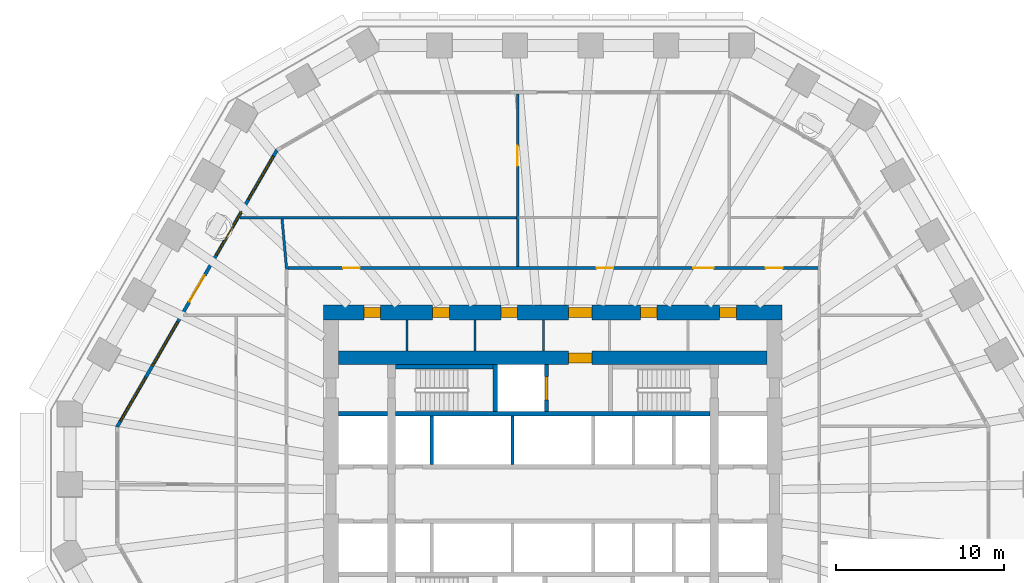
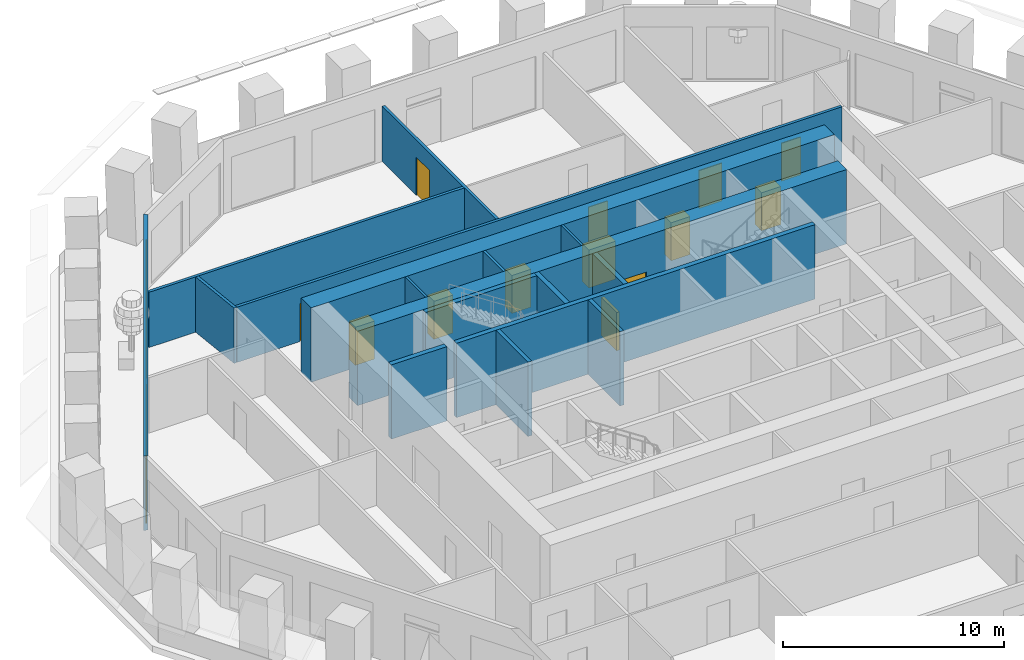
# One storey, part 7 of 13: 17 walls, 14 doors, 5 windows, 19 openings.
"""IFC4 building model written with IfcOpenShell, lengths in metres."""

import ifcopenshell
import ifcopenshell.guid

model = None  # the IFC model being written
_history = None  # IfcOwnerHistory: only IFC2X3 demands one
_inside = {}  # id of a spatial element -> (the spatial element, [elements in it])
_under = {}  # id of a project, library or spatial element -> (it, [spatial elements below it])
_declared = {}  # id of a project -> (the project, [libraries it declares])
_typed = {}  # id of a type object -> (the type object, [elements of that type])
_made_of = {}  # id of a material, layer set ... -> (it, [elements and type objects made of it])


def new_model(schema):
    """Start an empty IFC model of exactly this schema.

    Asked for "IFC4X3", IfcOpenShell would pick the latest addendum, in which some entities
    have other attributes; the version numbers below select the first issue.
    IFC2X3 requires an IfcOwnerHistory on every rooted entity: one is made here for all.
    """
    global model, _history
    if schema == "IFC4X3":
        model = ifcopenshell.file(schema_version=(4, 3, 0, 0))
    else:
        model = ifcopenshell.file(schema=schema)
    _inside.clear()
    _under.clear()
    _declared.clear()
    _typed.clear()
    _made_of.clear()
    _history = None
    if model.schema == "IFC2X3":
        org = make("IfcOrganization", Name="unknown")
        user = make(
            "IfcPersonAndOrganization",
            ThePerson=make("IfcPerson", FamilyName="unknown"),
            TheOrganization=org,
        )
        app = make(
            "IfcApplication",
            ApplicationDeveloper=org,
            Version="unknown",
            ApplicationFullName="unknown",
            ApplicationIdentifier="unknown",
        )
        _history = make(
            "IfcOwnerHistory",
            OwningUser=user,
            OwningApplication=app,
            ChangeAction="ADDED",
            CreationDate=0,
        )
    return model


def make(cls, **values):
    """One entity of the class cls with the attributes given. An attribute that is None is left unset."""
    return model.create_entity(
        cls, **{name: value for name, value in values.items() if value is not None}
    )


def rooted(cls, **values):
    """An entity with a GlobalId (a new one), such as an element, a storey or a relation."""
    return make(cls, GlobalId=ifcopenshell.guid.new(), OwnerHistory=_history, **values)


def si_unit(unit_type, name, prefix=None):
    """IfcSIUnit, for example si_unit("LENGTHUNIT", "METRE", prefix="MILLI")."""
    return make("IfcSIUnit", UnitType=unit_type, Prefix=prefix, Name=name)


def assignment(units):
    """IfcUnitAssignment: the units of a project."""
    return None if units is None else make("IfcUnitAssignment", Units=units)


def point(xyz):
    """IfcCartesianPoint."""
    return None if xyz is None else make("IfcCartesianPoint", Coordinates=xyz)


def direction(xyz):
    """IfcDirection."""
    return None if xyz is None else make("IfcDirection", DirectionRatios=xyz)


def frame(location, z_axis=None, x_axis=None):
    """IfcAxis2Placement3D, a coordinate frame: its origin and axes. An axis left out is left unset."""
    return make(
        "IfcAxis2Placement3D",
        Location=point(location),
        Axis=direction(z_axis),
        RefDirection=direction(x_axis),
    )


def frame_2d(location, x_axis=None):
    """IfcAxis2Placement2D, a coordinate frame in the plane: its origin and x axis."""
    return make(
        "IfcAxis2Placement2D", Location=point(location), RefDirection=direction(x_axis)
    )


def origin():
    """The frame at (0, 0, 0) with its axes left unset."""
    return frame((0.0, 0.0, 0.0))


def place(relative_to, where):
    """IfcLocalPlacement: puts the frame where relative to a parent placement (None: the world)."""
    return make(
        "IfcLocalPlacement", PlacementRelTo=relative_to, RelativePlacement=where
    )


def context(
    kind, dimensions, precision=None, world=None, true_north=None, identifier=None
):
    """IfcGeometricRepresentationContext, for example the 3D "Model" context."""
    return make(
        "IfcGeometricRepresentationContext",
        ContextIdentifier=identifier,
        ContextType=kind,
        CoordinateSpaceDimension=dimensions,
        Precision=precision,
        WorldCoordinateSystem=world,
        TrueNorth=true_north,
    )


def subcontext(parent, identifier, kind, view, scale=None):
    """IfcGeometricRepresentationSubContext, for example "Body" below "Model"."""
    return make(
        "IfcGeometricRepresentationSubContext",
        ContextIdentifier=identifier,
        ContextType=kind,
        ParentContext=parent,
        TargetScale=scale,
        TargetView=view,
    )


def project(units=None, contexts=None):
    """IfcProject with its units and contexts."""
    return rooted(
        "IfcProject",
        Name="project",
        RepresentationContexts=contexts,
        UnitsInContext=assignment(units),
    )


def spatial(cls, under=None, at=None, **own):
    """A site, building, storey or space (cls), placed at a placement, below another one or the project."""
    s = rooted(cls, ObjectPlacement=at, **own)
    if under is not None:
        _under.setdefault(under.id(), (under, []))[1].append(s)
    return s


def polyline(points):
    """IfcPolyline through the points."""
    return make("IfcPolyline", Points=[point(p) for p in points])


def profile(cls, at=None, kind="AREA", **sizes):
    """A parametric profile (cls). Its sizes go by their IFC names, for example OverallWidth=200.0."""
    return make(cls, ProfileType=kind, Position=at, **sizes)


def rectangle(**sizes):
    """IfcRectangleProfileDef."""
    return profile("IfcRectangleProfileDef", **sizes)


def outline(outer, holes=None, kind="AREA"):
    """IfcArbitraryClosedProfileDef: a profile drawn as a closed curve; with holes, ...WithVoids."""
    if holes is None:
        return make("IfcArbitraryClosedProfileDef", ProfileType=kind, OuterCurve=outer)
    return make(
        "IfcArbitraryProfileDefWithVoids",
        ProfileType=kind,
        OuterCurve=outer,
        InnerCurves=holes,
    )


def extrude(swept, where, along, depth):
    """IfcExtrudedAreaSolid: the profile swept, set in the frame where, extruded along a direction by depth."""
    return make(
        "IfcExtrudedAreaSolid",
        SweptArea=swept,
        Position=where,
        ExtrudedDirection=direction(along),
        Depth=depth,
    )


def shape(context_of_items, identifier, shape_type, items):
    """IfcShapeRepresentation: the items that make up one representation, for example the "Body"."""
    return make(
        "IfcShapeRepresentation",
        ContextOfItems=context_of_items,
        RepresentationIdentifier=identifier,
        RepresentationType=shape_type,
        Items=items,
    )


def material(Name=None, Category=None):
    """IfcMaterial."""
    return make("IfcMaterial", Name=Name, Category=Category)


def layer(
    of_material, thickness, ventilated=None, Name=None, Category=None, Priority=None
):
    """IfcMaterialLayer: one layer of a wall or slab, of a material (None: an air gap)."""
    return make(
        "IfcMaterialLayer",
        Material=of_material,
        LayerThickness=thickness,
        IsVentilated=ventilated,
        Name=Name,
        Category=Category,
        Priority=Priority,
    )


def layer_set(layers, Name=None):
    """IfcMaterialLayerSet."""
    return make("IfcMaterialLayerSet", MaterialLayers=layers, LayerSetName=Name)


def made_of(thing, what):
    """Note that an element or type object is made of a material, layer set ...; save() writes the relation."""
    if what is not None:
        _made_of.setdefault(what.id(), (what, []))[1].append(thing)
    return thing


def type_object(cls, material=None, **own):
    """A type object (cls), such as IfcWallType, which elements share."""
    return made_of(rooted(cls, **own), material)


def element(
    cls,
    number,
    at=None,
    inside=None,
    cuts=None,
    type_object=None,
    material=None,
    context=None,
    identifier="Body",
    shape_type=None,
    held_by="IfcProductDefinitionShape",
    body=None,
    shapes=None,
    **own,
):
    """One element of the class cls, such as IfcWall. Its Tag is "e" and its number.

    at: its placement. inside: the storey or other place that contains it. cuts: it is an
    opening in that element (IfcRelVoidsElement). A single representation is given by context,
    identifier, shape_type and body (its items); several are given by shapes. held_by: the class
    of the entity that holds the representations. save() writes the other relations.
    """
    e = rooted(cls, Tag="e%d" % number, ObjectPlacement=at, **own)
    if body is not None:
        shapes = [shape(context, identifier, shape_type, body)]
    if shapes is not None:
        e.Representation = make(held_by, Representations=shapes)
    if inside is not None:
        _inside.setdefault(inside.id(), (inside, []))[1].append(e)
    if cuts is not None:
        rooted(
            "IfcRelVoidsElement", RelatingBuildingElement=cuts, RelatedOpeningElement=e
        )
    if type_object is not None:
        _typed.setdefault(type_object.id(), (type_object, []))[1].append(e)
    return made_of(e, material)


def fill(opening, filler):
    """IfcRelFillsElement: the door or window that sits in an opening."""
    return rooted(
        "IfcRelFillsElement",
        RelatingOpeningElement=opening,
        RelatedBuildingElement=filler,
    )


def aggregate(whole, parts):
    """IfcRelAggregates: a whole, such as a stair, and the parts it consists of."""
    return rooted("IfcRelAggregates", RelatingObject=whole, RelatedObjects=parts)


def save(model, path):
    """Write the relations noted so far, then the file.

    IfcRelAggregates (storeys below a building ...), IfcRelContainedInSpatialStructure (elements
    in a storey), IfcRelDefinesByType, IfcRelAssociatesMaterial and IfcRelDeclares: one each for
    every whole, place, type object, material and project.
    """
    for whole, parts in _under.values():
        aggregate(whole, parts)
    for where, things in _inside.values():
        rooted(
            "IfcRelContainedInSpatialStructure",
            RelatedElements=things,
            RelatingStructure=where,
        )
    for kind, things in _typed.values():
        rooted("IfcRelDefinesByType", RelatedObjects=things, RelatingType=kind)
    for what, things in _made_of.values():
        rooted("IfcRelAssociatesMaterial", RelatedObjects=things, RelatingMaterial=what)
    for by, libraries in _declared.values():
        rooted("IfcRelDeclares", RelatingContext=by, RelatedDefinitions=libraries)
    model.write(path)


model = new_model("IFC4")

# Units and contexts
model_context = context("Model", 3, precision=1e-05, world=origin(), true_north=direction((0.0, 1.0)))
body_context = subcontext(model_context, "Body", "Model", "MODEL_VIEW")
ifc_project = project(units=[si_unit("LENGTHUNIT", "METRE"), si_unit("AREAUNIT", "SQUARE_METRE"), si_unit("VOLUMEUNIT", "CUBIC_METRE"), si_unit("PLANEANGLEUNIT", "RADIAN"), si_unit("MASSUNIT", "GRAM", prefix="KILO")], contexts=[model_context])

# Site, building, storey
site_placement = place(None, origin())
site = spatial("IfcSite", under=ifc_project, at=site_placement, CompositionType="ELEMENT")
building_placement = place(site_placement, origin())
building = spatial("IfcBuilding", under=site, at=building_placement, Name="Frailejon Research Tower", CompositionType="ELEMENT")
storey_placement = place(building_placement, frame((0.0, 0.0, 32.199951171875)))
storey = spatial("IfcBuildingStorey", under=building, at=storey_placement, Name="L07", CompositionType="ELEMENT", Elevation=32.199951171875)

# Walls
ifc_material_1 = material(Name="Plasterboard on steel studs", Category="steel")
ifc_layer_1 = layer(ifc_material_1, 0.125)
ifc_layer_set_1 = layer_set([ifc_layer_1], Name="Core partition 125")
wall_type_1 = type_object("IfcWallType", Name="Core partition 125", PredefinedType="PARTITIONING", material=ifc_layer_set_1)
for number, where, z_axis, x_axis, name in (
    (1, (-8.6875, 8.5, 0.0), (0.0, 0.0, 1.0), (0.0, 1.0, 0.0), "Core partition"),
    (2, (-4.625, 8.5, 0.0), (0.0, 0.0, 1.0), (0.0, 1.0, 0.0), "Core partition"),
    (3, (-0.5625, 8.5, 0.0), (0.0, 0.0, 1.0), (0.0, 1.0, 0.0), "Core partition"),
):
    element("IfcWall", number, at=place(storey_placement, frame(where, z_axis=z_axis, x_axis=x_axis)), inside=storey, type_object=wall_type_1, Name=name, PredefinedType="PARTITIONING", context=body_context, shape_type="SweptSolid", body=[
        extrude(rectangle(XDim=1.85009765625, YDim=0.125, at=frame_2d((0.925048828125, 0.0))), origin(), (0.0, 0.0, 1.0), 4.10009765625),
    ])

# Wall, opening, door
ifc_material_2 = material(Name="Concrete C70/85", Category="concrete")
ifc_layer_2 = layer(ifc_material_2, 0.800048828125)
ifc_layer_set_2 = layer_set([ifc_layer_2], Name="Core shear wall 800 C70/85")
wall_type_2 = type_object("IfcWallType", Name="Core shear wall 800 C70/85", PredefinedType="SHEAR", material=ifc_layer_set_2)
wall_1_placement = place(storey_placement, frame((-12.75, 8.10009765625, 0.0), z_axis=(0.0, 0.0, 1.0), x_axis=(1.0, 0.0, 0.0)))
wall_1 = element("IfcWall", 4, at=wall_1_placement, inside=storey, type_object=wall_type_2, Name="Core shear wall", PredefinedType="SHEAR", context=body_context, shape_type="SweptSolid", body=[
    extrude(rectangle(XDim=25.5, YDim=0.800048828125, at=frame_2d((12.75, 0.0))), origin(), (0.0, 0.0, 1.0), 4.10009765625),
])
opening_1_placement = place(wall_1_placement, frame((13.675048828125, 0.0, 0.0)))
opening_1 = element("IfcOpeningElement", 5, at=opening_1_placement, cuts=wall_1, Name="Opening D9", PredefinedType="OPENING", context=body_context, shape_type="SweptSolid", body=[
    extrude(rectangle(XDim=1.39990234375, YDim=2.10009765625, at=frame_2d((0.699951171875, 1.050048828125))), frame((0.0, 0.409912109375, 0.0), z_axis=(0.0, -1.0, 0.0), x_axis=(1.0, 0.0, 0.0)), (0.0, 0.0, 1.0), 0.820068359375),
])
ifc_material_3 = material(Name="Steel", Category="steel")
door_type_1 = type_object("IfcDoorType", Name="Goods lobby door", OperationType="DOUBLE_DOOR_SINGLE_SWING", PredefinedType="DOOR", material=ifc_material_3)
door_1_placement = place(opening_1_placement, origin())
door_1 = element("IfcDoor", 6, at=door_1_placement, inside=storey, type_object=door_type_1, Name="Goods lobby door", OperationType="DOUBLE_DOOR_SINGLE_SWING", OverallHeight=2.10009765625, OverallWidth=1.39990234375, PredefinedType="DOOR", context=body_context, shape_type="SweptSolid", body=[
    extrude(rectangle(XDim=1.39990234375, YDim=2.10009765625, at=frame_2d((0.699951171875, 1.050048828125))), frame((0.0, 0.300048828125, 0.0), z_axis=(0.0, -1.0, 0.0), x_axis=(1.0, 0.0, 0.0)), (0.0, 0.0, 1.0), 0.60009765625),
])
fill(opening_1, door_1)

# Wall, openings, doors
ifc_material_4 = material(Name="Concrete C70/85", Category="concrete")
ifc_layer_3 = layer(ifc_material_4, 0.89990234375)
ifc_layer_set_3 = layer_set([ifc_layer_3], Name="Core shear wall 900 C70/85")
wall_type_3 = type_object("IfcWallType", Name="Core shear wall 900 C70/85", PredefinedType="SHEAR", material=ifc_layer_set_3)
wall_2_placement = place(storey_placement, frame((-13.64990234375, 10.800048828125, 0.0), z_axis=(0.0, 0.0, 1.0), x_axis=(1.0, 0.0, 0.0)))
wall_2 = element("IfcWall", 7, at=wall_2_placement, inside=storey, type_object=wall_type_3, Name="Core shear wall", PredefinedType="SHEAR", context=body_context, shape_type="SweptSolid", body=[
    extrude(rectangle(XDim=27.2998046875, YDim=0.89990234375, at=frame_2d((13.64990234375, 0.0))), origin(), (0.0, 0.0, 1.0), 4.10009765625),
])
opening_2_placement = place(wall_2_placement, frame((2.39990234375, 0.0, 0.0)))
opening_2 = element("IfcOpeningElement", 8, at=opening_2_placement, cuts=wall_2, Name="Opening D4", PredefinedType="OPENING", context=body_context, shape_type="SweptSolid", body=[
    extrude(rectangle(XDim=1.0, YDim=2.10009765625, at=frame_2d((0.5, 1.050048828125))), frame((0.0, 0.4599609375, 0.0), z_axis=(0.0, -1.0, 0.0), x_axis=(1.0, 0.0, 0.0)), (0.0, 0.0, 1.0), 0.919921875),
])
opening_3_placement = place(wall_2_placement, frame((6.49365234375, 0.0, 0.0)))
opening_3 = element("IfcOpeningElement", 9, at=opening_3_placement, cuts=wall_2, Name="Opening D4", PredefinedType="OPENING", context=body_context, shape_type="SweptSolid", body=[
    extrude(rectangle(XDim=1.0, YDim=2.10009765625, at=frame_2d((0.5, 1.050048828125))), frame((0.0, 0.4599609375, 0.0), z_axis=(0.0, -1.0, 0.0), x_axis=(1.0, 0.0, 0.0)), (0.0, 0.0, 1.0), 0.919921875),
])
opening_4_placement = place(wall_2_placement, frame((10.55615234375, 0.0, 0.0)))
opening_4 = element("IfcOpeningElement", 10, at=opening_4_placement, cuts=wall_2, Name="Opening D4", PredefinedType="OPENING", context=body_context, shape_type="SweptSolid", body=[
    extrude(rectangle(XDim=1.0, YDim=2.10009765625, at=frame_2d((0.5, 1.050048828125))), frame((0.0, 0.4599609375, 0.0), z_axis=(0.0, -1.0, 0.0), x_axis=(1.0, 0.0, 0.0)), (0.0, 0.0, 1.0), 0.919921875),
])
opening_5_placement = place(wall_2_placement, frame((18.859375, 0.0, 0.0)))
opening_5 = element("IfcOpeningElement", 11, at=opening_5_placement, cuts=wall_2, Name="Opening D4", PredefinedType="OPENING", context=body_context, shape_type="SweptSolid", body=[
    extrude(rectangle(XDim=1.0, YDim=2.10009765625, at=frame_2d((0.5, 1.050048828125))), frame((0.0, 0.4599609375, 0.0), z_axis=(0.0, -1.0, 0.0), x_axis=(1.0, 0.0, 0.0)), (0.0, 0.0, 1.0), 0.919921875),
])
opening_6_placement = place(wall_2_placement, frame((23.58447265625, 0.0, 0.0)))
opening_6 = element("IfcOpeningElement", 12, at=opening_6_placement, cuts=wall_2, Name="Opening D4", PredefinedType="OPENING", context=body_context, shape_type="SweptSolid", body=[
    extrude(rectangle(XDim=1.0, YDim=2.10009765625, at=frame_2d((0.5, 1.050048828125))), frame((0.0, 0.4599609375, 0.0), z_axis=(0.0, -1.0, 0.0), x_axis=(1.0, 0.0, 0.0)), (0.0, 0.0, 1.0), 0.919921875),
])
opening_7_placement = place(wall_2_placement, frame((14.574951171875, 0.0, 0.0)))
opening_7 = element("IfcOpeningElement", 13, at=opening_7_placement, cuts=wall_2, Name="Opening D9", PredefinedType="OPENING", context=body_context, shape_type="SweptSolid", body=[
    extrude(rectangle(XDim=1.39990234375, YDim=2.10009765625, at=frame_2d((0.699951171875, 1.050048828125))), frame((0.0, 0.4599609375, 0.0), z_axis=(0.0, -1.0, 0.0), x_axis=(1.0, 0.0, 0.0)), (0.0, 0.0, 1.0), 0.919921875),
])
door_2_placement = place(opening_7_placement, origin())
door_2 = element("IfcDoor", 14, at=door_2_placement, inside=storey, type_object=door_type_1, Name="Passage door", OperationType="DOUBLE_DOOR_SINGLE_SWING", OverallHeight=2.10009765625, OverallWidth=1.39990234375, PredefinedType="DOOR", context=body_context, shape_type="SweptSolid", body=[
    extrude(rectangle(XDim=1.39990234375, YDim=2.10009765625, at=frame_2d((0.699951171875, 1.050048828125))), frame((0.0, 0.300048828125, 0.0), z_axis=(0.0, -1.0, 0.0), x_axis=(1.0, 0.0, 0.0)), (0.0, 0.0, 1.0), 0.60009765625),
])
fill(opening_7, door_2)
ifc_material_5 = material(Name="Steel", Category="steel")
door_type_2 = type_object("IfcDoorType", Name="Service door", OperationType="SINGLE_SWING_LEFT", PredefinedType="DOOR", material=ifc_material_5)
door_3_placement = place(opening_2_placement, origin())
door_3 = element("IfcDoor", 15, at=door_3_placement, inside=storey, type_object=door_type_2, Name="Room door", OperationType="SINGLE_SWING_LEFT", OverallHeight=2.10009765625, OverallWidth=1.0, PredefinedType="DOOR", context=body_context, shape_type="SweptSolid", body=[
    extrude(rectangle(XDim=1.0, YDim=2.10009765625, at=frame_2d((0.5, 1.050048828125))), frame((0.0, 0.300048828125, 0.0), z_axis=(0.0, -1.0, 0.0), x_axis=(1.0, 0.0, 0.0)), (0.0, 0.0, 1.0), 0.60009765625),
])
fill(opening_2, door_3)
door_4_placement = place(opening_3_placement, origin())
door_4 = element("IfcDoor", 16, at=door_4_placement, inside=storey, type_object=door_type_2, Name="Room door", OperationType="SINGLE_SWING_RIGHT", OverallHeight=2.10009765625, OverallWidth=1.0, PredefinedType="DOOR", context=body_context, shape_type="SweptSolid", body=[
    extrude(rectangle(XDim=1.0, YDim=2.10009765625, at=frame_2d((0.5, 1.050048828125))), frame((0.0, 0.300048828125, 0.0), z_axis=(0.0, -1.0, 0.0), x_axis=(1.0, 0.0, 0.0)), (0.0, 0.0, 1.0), 0.60009765625),
])
fill(opening_3, door_4)
door_5_placement = place(opening_4_placement, origin())
door_5 = element("IfcDoor", 17, at=door_5_placement, inside=storey, type_object=door_type_2, Name="Room door", OperationType="SINGLE_SWING_LEFT", OverallHeight=2.10009765625, OverallWidth=1.0, PredefinedType="DOOR", context=body_context, shape_type="SweptSolid", body=[
    extrude(rectangle(XDim=1.0, YDim=2.10009765625, at=frame_2d((0.5, 1.050048828125))), frame((0.0, 0.300048828125, 0.0), z_axis=(0.0, -1.0, 0.0), x_axis=(1.0, 0.0, 0.0)), (0.0, 0.0, 1.0), 0.60009765625),
])
fill(opening_4, door_5)
door_6_placement = place(opening_5_placement, origin())
door_6 = element("IfcDoor", 18, at=door_6_placement, inside=storey, type_object=door_type_2, Name="Room door", OperationType="SINGLE_SWING_RIGHT", OverallHeight=2.10009765625, OverallWidth=1.0, PredefinedType="DOOR", context=body_context, shape_type="SweptSolid", body=[
    extrude(rectangle(XDim=1.0, YDim=2.10009765625, at=frame_2d((0.5, 1.050048828125))), frame((0.0, 0.300048828125, 0.0), z_axis=(0.0, -1.0, 0.0), x_axis=(1.0, 0.0, 0.0)), (0.0, 0.0, 1.0), 0.60009765625),
])
fill(opening_5, door_6)
door_7_placement = place(opening_6_placement, origin())
door_7 = element("IfcDoor", 19, at=door_7_placement, inside=storey, type_object=door_type_2, Name="Room door", OperationType="SINGLE_SWING_LEFT", OverallHeight=2.10009765625, OverallWidth=1.0, PredefinedType="DOOR", context=body_context, shape_type="SweptSolid", body=[
    extrude(rectangle(XDim=1.0, YDim=2.10009765625, at=frame_2d((0.5, 1.050048828125))), frame((0.0, 0.300048828125, 0.0), z_axis=(0.0, -1.0, 0.0), x_axis=(1.0, 0.0, 0.0)), (0.0, 0.0, 1.0), 0.60009765625),
])
fill(opening_6, door_7)

ifc_material_6 = material(Name="Gypsum board and masonry partition", Category="masonry")
ifc_layer_4 = layer(ifc_material_6, 0.14990234375)
ifc_layer_set_4 = layer_set([ifc_layer_4], Name="Corridor wall EI 60, gypsum on steel studs 150")
wall_type_4 = type_object("IfcWallType", Name="Corridor wall EI 60, gypsum on steel studs 150", PredefinedType="PARTITIONING", material=ifc_layer_set_4)
wall_3_placement = place(storey_placement, frame((-15.77490234375, 13.449951171875, 0.0), z_axis=(0.0, 0.0, 1.0), x_axis=(1.0, 0.0, 0.0)))
wall_3 = element("IfcWall", 20, at=wall_3_placement, inside=storey, type_object=wall_type_4, Name="T:IW:L07:002", PredefinedType="PARTITIONING", context=body_context, shape_type="SweptSolid", body=[
    extrude(rectangle(XDim=31.574951171875, YDim=0.14990234375, at=frame_2d((15.78759765625, 0.0))), origin(), (0.0, 0.0, 1.0), 3.050048828125),
])
opening_8_placement = place(wall_3_placement, frame((28.447509765625, 0.0, 0.0)))
opening_8 = element("IfcOpeningElement", 21, at=opening_8_placement, cuts=wall_3, Name="Opening D1323", PredefinedType="OPENING", context=body_context, shape_type="SweptSolid", body=[
    extrude(rectangle(XDim=1.0, YDim=2.10009765625, at=frame_2d((0.5, 1.050048828125))), frame((0.0, 0.0849609375, 0.0), z_axis=(0.0, -1.0, 0.0), x_axis=(1.0, 0.0, 0.0)), (0.0, 0.0, 1.0), 0.169921875),
])
opening_9_placement = place(wall_3_placement, frame((24.1455078125, 0.0, 0.0)))
opening_9 = element("IfcOpeningElement", 22, at=opening_9_placement, cuts=wall_3, Name="Opening D1325", PredefinedType="OPENING", context=body_context, shape_type="SweptSolid", body=[
    extrude(rectangle(XDim=1.199951171875, YDim=2.10009765625, at=frame_2d((0.60009765625, 1.050048828125))), frame((0.0, 0.0849609375, 0.0), z_axis=(0.0, -1.0, 0.0), x_axis=(1.0, 0.0, 0.0)), (0.0, 0.0, 1.0), 0.169921875),
])
opening_10_placement = place(wall_3_placement, frame((18.37841796875, 0.0, 0.0)))
opening_10 = element("IfcOpeningElement", 23, at=opening_10_placement, cuts=wall_3, Name="Opening D1326", PredefinedType="OPENING", context=body_context, shape_type="SweptSolid", body=[
    extrude(rectangle(XDim=1.0, YDim=2.10009765625, at=frame_2d((0.5, 1.050048828125))), frame((0.0, 0.0849609375, 0.0), z_axis=(0.0, -1.0, 0.0), x_axis=(1.0, 0.0, 0.0)), (0.0, 0.0, 1.0), 0.169921875),
])
opening_11_placement = place(wall_3_placement, frame((3.28759765625, 0.0, 0.0)))
opening_11 = element("IfcOpeningElement", 24, at=opening_11_placement, cuts=wall_3, Name="Opening D1329", PredefinedType="OPENING", context=body_context, shape_type="SweptSolid", body=[
    extrude(rectangle(XDim=1.0, YDim=2.10009765625, at=frame_2d((0.5, 1.050048828125))), frame((0.0, 0.0849609375, 0.0), z_axis=(0.0, -1.0, 0.0), x_axis=(1.0, 0.0, 0.0)), (0.0, 0.0, 1.0), 0.169921875),
])
ifc_material_7 = material(Name="Timber door leaf", Category="wood")
door_type_3 = type_object("IfcDoorType", Name="Door laboratory, timber, vision panel 1000", OperationType="NOTDEFINED", PredefinedType="DOOR", material=ifc_material_7)
door_8_placement = place(opening_11_placement, origin())
door_8 = element("IfcDoor", 25, at=door_8_placement, inside=storey, type_object=door_type_3, Name="D1329", OperationType="SINGLE_SWING_RIGHT", OverallHeight=2.10009765625, OverallWidth=1.0, PredefinedType="DOOR", context=body_context, shape_type="SweptSolid", body=[
    extrude(rectangle(XDim=1.0, YDim=2.10009765625, at=frame_2d((0.5, 1.050048828125))), frame((0.0, 0.02490234375, 0.0), z_axis=(0.0, -1.0, 0.0), x_axis=(1.0, 0.0, 0.0)), (0.0, 0.0, 1.0), 0.050048828125),
])
fill(opening_11, door_8)
ifc_material_8 = material(Name="Timber door leaf", Category="wood")
door_type_4 = type_object("IfcDoorType", Name="Door laboratory, timber, vision panel 1200", OperationType="NOTDEFINED", PredefinedType="DOOR", material=ifc_material_8)
door_9_placement = place(opening_9_placement, origin())
door_9 = element("IfcDoor", 26, at=door_9_placement, inside=storey, type_object=door_type_4, Name="D1325", OperationType="DOUBLE_DOOR_SINGLE_SWING", OverallHeight=2.10009765625, OverallWidth=1.199951171875, PredefinedType="DOOR", context=body_context, shape_type="SweptSolid", body=[
    extrude(rectangle(XDim=1.199951171875, YDim=2.10009765625, at=frame_2d((0.60009765625, 1.050048828125))), frame((0.0, 0.02490234375, 0.0), z_axis=(0.0, -1.0, 0.0), x_axis=(1.0, 0.0, 0.0)), (0.0, 0.0, 1.0), 0.050048828125),
])
fill(opening_9, door_9)
ifc_material_9 = material(Name="Timber door leaf", Category="wood")
door_type_5 = type_object("IfcDoorType", Name="Door single leaf, timber, steel frame 1000", OperationType="NOTDEFINED", PredefinedType="DOOR", material=ifc_material_9)
door_10_placement = place(opening_8_placement, origin())
door_10 = element("IfcDoor", 27, at=door_10_placement, inside=storey, type_object=door_type_5, Name="D1323", OperationType="SINGLE_SWING_RIGHT", OverallHeight=2.10009765625, OverallWidth=1.0, PredefinedType="DOOR", context=body_context, shape_type="SweptSolid", body=[
    extrude(rectangle(XDim=1.0, YDim=2.10009765625, at=frame_2d((0.5, 1.050048828125))), frame((0.0, 0.02490234375, 0.0), z_axis=(0.0, -1.0, 0.0), x_axis=(1.0, 0.0, 0.0)), (0.0, 0.0, 1.0), 0.050048828125),
])
fill(opening_8, door_10)
door_11_placement = place(opening_10_placement, origin())
door_11 = element("IfcDoor", 28, at=door_11_placement, inside=storey, type_object=door_type_5, Name="D1326", OperationType="SINGLE_SWING_RIGHT", OverallHeight=2.10009765625, OverallWidth=1.0, PredefinedType="DOOR", context=body_context, shape_type="SweptSolid", body=[
    extrude(rectangle(XDim=1.0, YDim=2.10009765625, at=frame_2d((0.5, 1.050048828125))), frame((0.0, 0.02490234375, 0.0), z_axis=(0.0, -1.0, 0.0), x_axis=(1.0, 0.0, 0.0)), (0.0, 0.0, 1.0), 0.050048828125),
])
fill(opening_10, door_11)

# Wall, opening, door
ifc_material_10 = material(Name="Gypsum board and masonry partition", Category="masonry")
ifc_layer_5 = layer(ifc_material_10, 0.14990234375)
ifc_layer_set_5 = layer_set([ifc_layer_5], Name="Laboratory partition, blockwork 150")
wall_type_5 = type_object("IfcWallType", Name="Laboratory partition, blockwork 150", PredefinedType="PARTITIONING", material=ifc_layer_set_5)
wall_4_placement = place(storey_placement, frame((-2.09912109375, 13.52490234375, 0.0), z_axis=(0.0, 0.0, 1.0), x_axis=(0.0, 1.0, 0.0)))
wall_4 = element("IfcWall", 29, at=wall_4_placement, inside=storey, type_object=wall_type_5, Name="T:IW:L07:012", PredefinedType="PARTITIONING", context=body_context, shape_type="SweptSolid", body=[
    extrude(rectangle(XDim=10.275146484375, YDim=0.14990234375, at=frame_2d((5.1376953125, 0.0))), origin(), (0.0, 0.0, 1.0), 3.050048828125),
])
opening_12_placement = place(wall_4_placement, frame((6.0, 0.0, 0.0)))
opening_12 = element("IfcOpeningElement", 30, at=opening_12_placement, cuts=wall_4, Name="Opening D1328", PredefinedType="OPENING", context=body_context, shape_type="SweptSolid", body=[
    extrude(rectangle(XDim=1.199951171875, YDim=2.10009765625, at=frame_2d((0.60009765625, 1.050048828125))), frame((0.0, 0.0849609375, 0.0), z_axis=(0.0, -1.0, 0.0), x_axis=(1.0, 0.0, 0.0)), (0.0, 0.0, 1.0), 0.169921875),
])
door_12_placement = place(opening_12_placement, origin())
door_12 = element("IfcDoor", 31, at=door_12_placement, inside=storey, type_object=door_type_4, Name="D1328", OperationType="DOUBLE_DOOR_SINGLE_SWING", OverallHeight=2.10009765625, OverallWidth=1.199951171875, PredefinedType="DOOR", context=body_context, shape_type="SweptSolid", body=[
    extrude(rectangle(XDim=1.199951171875, YDim=2.10009765625, at=frame_2d((0.60009765625, 1.050048828125))), frame((0.0, 0.02490234375, 0.0), z_axis=(0.0, -1.0, 0.0), x_axis=(1.0, 0.0, 0.0)), (0.0, 0.0, 1.0), 0.050048828125),
])
fill(opening_12, door_12)

# Walls
wall_5_placement = place(storey_placement, frame((-18.623046875, 16.449951171875, 0.0), z_axis=(0.0, 0.0, 1.0), x_axis=(1.0, 0.0, 0.0)))
element("IfcWall", 32, at=wall_5_placement, inside=storey, type_object=wall_type_5, Name="T:IW:L07:013", PredefinedType="PARTITIONING", context=body_context, shape_type="SweptSolid", body=[
    extrude(rectangle(XDim=16.448974609375, YDim=0.14990234375, at=frame_2d((8.224609375, 0.0))), origin(), (0.0, 0.0, 1.0), 3.050048828125),
])
wall_6_placement = place(storey_placement, frame((-16.1162109375, 16.375244140625, 0.0), z_axis=(0.0, 0.0, 1.0), x_axis=(0.09060881957, -0.995886560717, 0.0)))
element("IfcWall", 33, at=wall_6_placement, inside=storey, type_object=wall_type_5, Name="T:IW:L07:014", PredefinedType="PARTITIONING", context=body_context, shape_type="SweptSolid", body=[
    extrude(rectangle(XDim=3.012451171875, YDim=0.14990234375, at=frame_2d((1.50634765625, 0.0))), origin(), (0.0, 0.0, 1.0), 3.050048828125),
])
ifc_material_11 = material(Name="Concrete C70/85", Category="concrete")
ifc_layer_6 = layer(ifc_material_11, 0.199951171875)
ifc_layer_set_6 = layer_set([ifc_layer_6], Name="Shaft wall 200 C70/85")
wall_type_6 = type_object("IfcWallType", Name="Shaft wall 200 C70/85", PredefinedType="SOLIDWALL", material=ifc_layer_set_6)
for number, where, z_axis, x_axis, name in (
    (34, (-7.199951171875, 1.75, 0.0), (0.0, 0.0, 1.0), (0.0, 1.0, 0.0), "Shaft wall"),
    (35, (-2.39990234375, 1.75, 0.0), (0.0, 0.0, 1.0), (0.0, 1.0, 0.0), "Shaft wall"),
):
    element("IfcWall", number, at=place(storey_placement, frame(where, z_axis=z_axis, x_axis=x_axis)), inside=storey, type_object=wall_type_6, Name=name, PredefinedType="SOLIDWALL", context=body_context, shape_type="SweptSolid", body=[
        extrude(rectangle(XDim=2.89990234375, YDim=0.199951171875, at=frame_2d((1.449951171875, 0.0))), origin(), (0.0, 0.0, 1.0), 4.10009765625),
    ])
ifc_material_12 = material(Name="Concrete C70/85", Category="concrete")
ifc_layer_7 = layer(ifc_material_12, 0.25)
ifc_layer_set_7 = layer_set([ifc_layer_7], Name="Shaft wall 250 C70/85")
wall_type_7 = type_object("IfcWallType", Name="Shaft wall 250 C70/85", PredefinedType="SOLIDWALL", material=ifc_layer_set_7)
wall_7_placement = place(storey_placement, frame((-12.75, 4.77490234375, 0.0), z_axis=(0.0, 0.0, 1.0), x_axis=(1.0, 0.0, 0.0)))
element("IfcWall", 36, at=wall_7_placement, inside=storey, type_object=wall_type_7, Name="Shaft wall", PredefinedType="SOLIDWALL", context=body_context, shape_type="SweptSolid", body=[
    extrude(rectangle(XDim=2.89990234375, YDim=0.25, at=frame_2d((1.449951171875, 0.0))), origin(), (0.0, 0.0, 1.0), 4.10009765625),
])
wall_8_placement = place(storey_placement, frame((-9.35009765625, 4.77490234375, 0.0), z_axis=(0.0, 0.0, 1.0), x_axis=(1.0, 0.0, 0.0)))
element("IfcWall", 37, at=wall_8_placement, inside=storey, type_object=wall_type_7, Name="Shaft wall", PredefinedType="SOLIDWALL", context=body_context, shape_type="SweptSolid", body=[
    extrude(rectangle(XDim=18.7001953125, YDim=0.25, at=frame_2d((9.35009765625, 0.0))), origin(), (0.0, 0.0, 1.0), 4.10009765625),
])
wall_9_placement = place(storey_placement, frame((-9.35009765625, 7.574951171875, 0.0), z_axis=(0.0, 0.0, 1.0), x_axis=(1.0, 0.0, 0.0)))
element("IfcWall", 38, at=wall_9_placement, inside=storey, type_object=wall_type_7, Name="Shaft wall", PredefinedType="SOLIDWALL", context=body_context, shape_type="SweptSolid", body=[
    extrude(rectangle(XDim=5.800048828125, YDim=0.25, at=frame_2d((2.89990234375, 0.0))), origin(), (0.0, 0.0, 1.0), 4.10009765625),
])
wall_10_placement = place(storey_placement, frame((-3.425048828125, 4.89990234375, 0.0), z_axis=(0.0, 0.0, 1.0), x_axis=(0.0, 1.0, 0.0)))
element("IfcWall", 39, at=wall_10_placement, inside=storey, type_object=wall_type_7, Name="Shaft wall", PredefinedType="SOLIDWALL", context=body_context, shape_type="SweptSolid", body=[
    extrude(rectangle(XDim=2.800048828125, YDim=0.25, at=frame_2d((1.39990234375, 0.0))), origin(), (0.0, 0.0, 1.0), 4.10009765625),
])

# Wall, opening, door
wall_11_placement = place(storey_placement, frame((-0.375, 4.89990234375, 0.0), z_axis=(0.0, 0.0, 1.0), x_axis=(0.0, 1.0, 0.0)))
wall_11 = element("IfcWall", 40, at=wall_11_placement, inside=storey, type_object=wall_type_7, Name="Shaft wall", PredefinedType="SOLIDWALL", context=body_context, shape_type="SweptSolid", body=[
    extrude(rectangle(XDim=2.800048828125, YDim=0.25, at=frame_2d((1.39990234375, 0.0))), origin(), (0.0, 0.0, 1.0), 4.10009765625),
])
opening_13_placement = place(wall_11_placement, frame((0.699951171875, 0.0, 0.0)))
opening_13 = element("IfcOpeningElement", 41, at=opening_13_placement, cuts=wall_11, Name="Opening LD2", PredefinedType="OPENING", context=body_context, shape_type="SweptSolid", body=[
    extrude(rectangle(XDim=1.39990234375, YDim=2.10009765625, at=frame_2d((0.699951171875, 1.050048828125))), frame((0.0, 0.135009765625, 0.0), z_axis=(0.0, -1.0, 0.0), x_axis=(1.0, 0.0, 0.0)), (0.0, 0.0, 1.0), 0.27001953125),
])
ifc_material_13 = material(Name="Stainless steel", Category="steel")
door_type_6 = type_object("IfcDoorType", Name="Goods landing door", OperationType="DOUBLE_DOOR_SLIDING", PredefinedType="DOOR", material=ifc_material_13)
door_13_placement = place(opening_13_placement, origin())
door_13 = element("IfcDoor", 42, at=door_13_placement, inside=storey, type_object=door_type_6, Name="Lift landing door", OperationType="DOUBLE_DOOR_SLIDING", OverallHeight=2.10009765625, OverallWidth=1.39990234375, PredefinedType="DOOR", context=body_context, shape_type="SweptSolid", body=[
    extrude(rectangle(XDim=1.39990234375, YDim=2.10009765625, at=frame_2d((0.699951171875, 1.050048828125))), frame((0.0, 0.074951171875, 0.0), z_axis=(0.0, -1.0, 0.0), x_axis=(1.0, 0.0, 0.0)), (0.0, 0.0, 1.0), 0.14990234375),
])
fill(opening_13, door_13)

# Wall, openings, door, windows
ifc_material_14 = material(Name="Concrete C40/50 precast window wall panel", Category="concrete")
ifc_layer_8 = layer(ifc_material_14, 0.199951171875)
ifc_layer_set_8 = layer_set([ifc_layer_8], Name="Window wall 200")
wall_type_8 = type_object("IfcWallType", Name="Window wall 200", PredefinedType="SOLIDWALL", material=ifc_layer_set_8)
wall_12_placement = place(storey_placement, frame((-16.421875, 20.462646484375, 0.0), z_axis=(0.0, 0.0, 1.0), x_axis=(-0.500001707189, -0.866024418136, 0.0)))
wall_12 = element("IfcWall", 43, at=wall_12_placement, inside=storey, type_object=wall_type_8, Name="Exterior wall L07", PredefinedType="SOLIDWALL", context=body_context, shape_type="SweptSolid", body=[
    extrude(outline(polyline([(-0.02685546875, -0.10009765625), (0.97705078125, -0.10009765625), (1.98095703125, -0.10009765625), (2.98486328125, -0.10009765625), (3.98876953125, -0.10009765625), (4.99267578125, -0.10009765625), (5.99658203125, -0.10009765625), (7.00048828125, -0.10009765625), (8.00439453125, -0.10009765625), (9.00830078125, -0.10009765625), (10.01220703125, -0.10009765625), (11.01611328125, -0.10009765625), (12.02001953125, -0.10009765625), (13.02392578125, -0.10009765625), (14.02783203125, -0.10009765625), (15.03173828125, -0.10009765625), (16.03564453125, -0.10009765625), (17.03955078125, -0.10009765625), (18.04345703125, -0.10009765625), (19.04736328125, -0.10009765625), (18.99365234375, 0.10009765625), (17.995361328125, 0.10009765625), (16.9970703125, 0.10009765625), (15.998779296875, 0.10009765625), (15.000732421875, 0.10009765625), (14.00244140625, 0.10009765625), (13.004150390625, 0.10009765625), (12.005859375, 0.10009765625), (11.007568359375, 0.10009765625), (10.00927734375, 0.10009765625), (9.01123046875, 0.10009765625), (8.012939453125, 0.10009765625), (7.0146484375, 0.10009765625), (6.016357421875, 0.10009765625), (5.01806640625, 0.10009765625), (4.019775390625, 0.10009765625), (3.021728515625, 0.10009765625), (2.0234375, 0.10009765625), (1.025146484375, 0.10009765625), (0.02685546875, 0.10009765625), (-0.02685546875, -0.10009765625)])), origin(), (0.0, 0.0, 1.0), 4.10009765625),
])
opening_14_placement = place(wall_12_placement, frame((0.402099609375, 0.0, 0.10009765625)))
opening_14 = element("IfcOpeningElement", 44, at=opening_14_placement, cuts=wall_12, Name="Opening W4", PredefinedType="OPENING", context=body_context, shape_type="SweptSolid", body=[
    extrude(rectangle(XDim=3.0, YDim=2.89990234375, at=frame_2d((1.5, 1.449951171875))), frame((0.0, 0.10986328125, 0.0), z_axis=(0.0, -1.0, 0.0), x_axis=(1.0, 0.0, 0.0)), (0.0, 0.0, 1.0), 0.219970703125),
])
opening_15_placement = place(wall_12_placement, frame((4.206298828125, 0.0, 0.10009765625)))
opening_15 = element("IfcOpeningElement", 45, at=opening_15_placement, cuts=wall_12, Name="Opening W4", PredefinedType="OPENING", context=body_context, shape_type="SweptSolid", body=[
    extrude(rectangle(XDim=3.0, YDim=2.89990234375, at=frame_2d((1.5, 1.449951171875))), frame((0.0, 0.10986328125, 0.0), z_axis=(0.0, -1.0, 0.0), x_axis=(1.0, 0.0, 0.0)), (0.0, 0.0, 1.0), 0.219970703125),
])
opening_16_placement = place(wall_12_placement, frame((8.6103515625, 0.0, 0.0)))
opening_16 = element("IfcOpeningElement", 46, at=opening_16_placement, cuts=wall_12, Name="Opening LG07-3", PredefinedType="OPENING", context=body_context, shape_type="SweptSolid", body=[
    extrude(rectangle(XDim=1.800048828125, YDim=2.39990234375, at=frame_2d((0.89990234375, 1.199951171875))), frame((0.0, 0.10986328125, 0.0), z_axis=(0.0, -1.0, 0.0), x_axis=(1.0, 0.0, 0.0)), (0.0, 0.0, 1.0), 0.219970703125),
])
opening_17_placement = place(wall_12_placement, frame((8.6103515625, 0.0, 2.550048828125)))
opening_17 = element("IfcOpeningElement", 47, at=opening_17_placement, cuts=wall_12, Name="Opening W1", PredefinedType="OPENING", context=body_context, shape_type="SweptSolid", body=[
    extrude(rectangle(XDim=1.800048828125, YDim=0.449951171875, at=frame_2d((0.89990234375, 0.22509765625))), frame((0.0, 0.10986328125, 0.0), z_axis=(0.0, -1.0, 0.0), x_axis=(1.0, 0.0, 0.0)), (0.0, 0.0, 1.0), 0.219970703125),
])
opening_18_placement = place(wall_12_placement, frame((11.814453125, 0.0, 0.10009765625)))
opening_18 = element("IfcOpeningElement", 48, at=opening_18_placement, cuts=wall_12, Name="Opening W4", PredefinedType="OPENING", context=body_context, shape_type="SweptSolid", body=[
    extrude(rectangle(XDim=3.0, YDim=2.89990234375, at=frame_2d((1.5, 1.449951171875))), frame((0.0, 0.10986328125, 0.0), z_axis=(0.0, -1.0, 0.0), x_axis=(1.0, 0.0, 0.0)), (0.0, 0.0, 1.0), 0.219970703125),
])
opening_19_placement = place(wall_12_placement, frame((15.618408203125, 0.0, 0.10009765625)))
opening_19 = element("IfcOpeningElement", 49, at=opening_19_placement, cuts=wall_12, Name="Opening W4", PredefinedType="OPENING", context=body_context, shape_type="SweptSolid", body=[
    extrude(rectangle(XDim=3.0, YDim=2.89990234375, at=frame_2d((1.5, 1.449951171875))), frame((0.0, 0.10986328125, 0.0), z_axis=(0.0, -1.0, 0.0), x_axis=(1.0, 0.0, 0.0)), (0.0, 0.0, 1.0), 0.219970703125),
])
ifc_material_15 = material(Name="Aluminium framed glazed door leaf", Category="aluminium")
door_type_7 = type_object("IfcDoorType", Name="Loggia door 1800x2400", OperationType="DOUBLE_DOOR_SINGLE_SWING", PredefinedType="DOOR", material=ifc_material_15)
door_14_placement = place(opening_16_placement, origin())
door_14 = element("IfcDoor", 50, at=door_14_placement, inside=storey, type_object=door_type_7, Name="Door LG07-3", OperationType="DOUBLE_DOOR_SINGLE_SWING", OverallHeight=2.39990234375, OverallWidth=1.800048828125, PredefinedType="DOOR", context=body_context, shape_type="SweptSolid", body=[
    extrude(rectangle(XDim=1.800048828125, YDim=2.39990234375, at=frame_2d((0.89990234375, 1.199951171875))), frame((0.0, 0.02490234375, 0.0), z_axis=(0.0, -1.0, 0.0), x_axis=(1.0, 0.0, 0.0)), (0.0, 0.0, 1.0), 0.050048828125),
])
fill(opening_16, door_14)
ifc_material_16 = material(Name="Aluminium framed double glazing", Category="aluminium")
window_type_1 = type_object("IfcWindowType", Name="Window 1800x450", PartitioningType="SINGLE_PANEL", PredefinedType="WINDOW", material=ifc_material_16)
window_1_placement = place(opening_17_placement, origin())
window_1 = element("IfcWindow", 51, at=window_1_placement, inside=storey, type_object=window_type_1, Name="Window L07", OverallHeight=0.449951171875, OverallWidth=1.800048828125, PartitioningType="SINGLE_PANEL", PredefinedType="WINDOW", context=body_context, shape_type="SweptSolid", body=[
    extrude(rectangle(XDim=1.800048828125, YDim=0.449951171875, at=frame_2d((0.89990234375, 0.22509765625))), frame((0.0, 0.030029296875, 0.0), z_axis=(0.0, -1.0, 0.0), x_axis=(1.0, 0.0, 0.0)), (0.0, 0.0, 1.0), 0.06005859375),
])
fill(opening_17, window_1)
ifc_material_17 = material(Name="Aluminium framed double glazing", Category="aluminium")
window_type_2 = type_object("IfcWindowType", Name="Window 3000x2900", PartitioningType="SINGLE_PANEL", PredefinedType="WINDOW", material=ifc_material_17)
window_2_placement = place(opening_14_placement, origin())
window_2 = element("IfcWindow", 52, at=window_2_placement, inside=storey, type_object=window_type_2, Name="Window L07", OverallHeight=2.89990234375, OverallWidth=3.0, PartitioningType="SINGLE_PANEL", PredefinedType="WINDOW", context=body_context, shape_type="SweptSolid", body=[
    extrude(rectangle(XDim=3.0, YDim=2.89990234375, at=frame_2d((1.5, 1.449951171875))), frame((0.0, 0.030029296875, 0.0), z_axis=(0.0, -1.0, 0.0), x_axis=(1.0, 0.0, 0.0)), (0.0, 0.0, 1.0), 0.06005859375),
])
fill(opening_14, window_2)
window_3_placement = place(opening_15_placement, origin())
window_3 = element("IfcWindow", 53, at=window_3_placement, inside=storey, type_object=window_type_2, Name="Window L07", OverallHeight=2.89990234375, OverallWidth=3.0, PartitioningType="SINGLE_PANEL", PredefinedType="WINDOW", context=body_context, shape_type="SweptSolid", body=[
    extrude(rectangle(XDim=3.0, YDim=2.89990234375, at=frame_2d((1.5, 1.449951171875))), frame((0.0, 0.030029296875, 0.0), z_axis=(0.0, -1.0, 0.0), x_axis=(1.0, 0.0, 0.0)), (0.0, 0.0, 1.0), 0.06005859375),
])
fill(opening_15, window_3)
window_4_placement = place(opening_18_placement, origin())
window_4 = element("IfcWindow", 54, at=window_4_placement, inside=storey, type_object=window_type_2, Name="Window L07", OverallHeight=2.89990234375, OverallWidth=3.0, PartitioningType="SINGLE_PANEL", PredefinedType="WINDOW", context=body_context, shape_type="SweptSolid", body=[
    extrude(rectangle(XDim=3.0, YDim=2.89990234375, at=frame_2d((1.5, 1.449951171875))), frame((0.0, 0.030029296875, 0.0), z_axis=(0.0, -1.0, 0.0), x_axis=(1.0, 0.0, 0.0)), (0.0, 0.0, 1.0), 0.06005859375),
])
fill(opening_18, window_4)
window_5_placement = place(opening_19_placement, origin())
window_5 = element("IfcWindow", 55, at=window_5_placement, inside=storey, type_object=window_type_2, Name="Window L07", OverallHeight=2.89990234375, OverallWidth=3.0, PartitioningType="SINGLE_PANEL", PredefinedType="WINDOW", context=body_context, shape_type="SweptSolid", body=[
    extrude(rectangle(XDim=3.0, YDim=2.89990234375, at=frame_2d((1.5, 1.449951171875))), frame((0.0, 0.030029296875, 0.0), z_axis=(0.0, -1.0, 0.0), x_axis=(1.0, 0.0, 0.0)), (0.0, 0.0, 1.0), 0.06005859375),
])
fill(opening_19, window_5)

save(model, "model.ifc")
